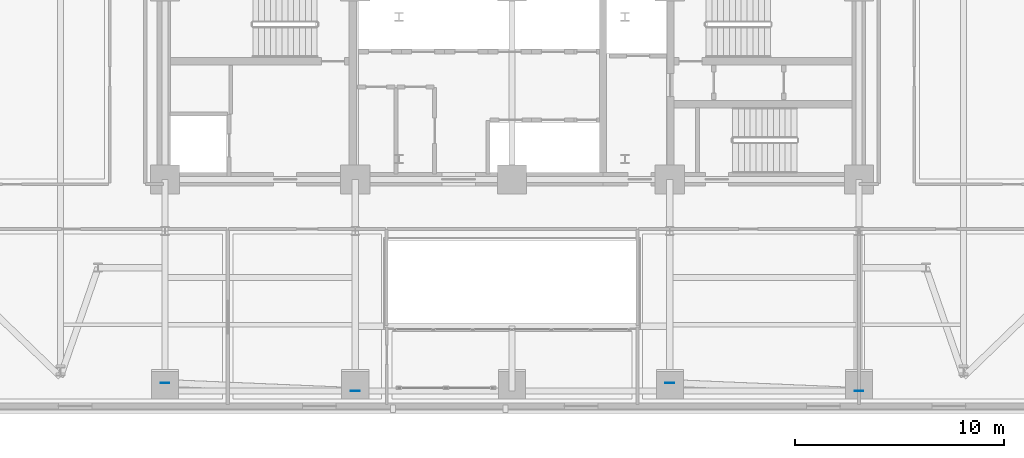
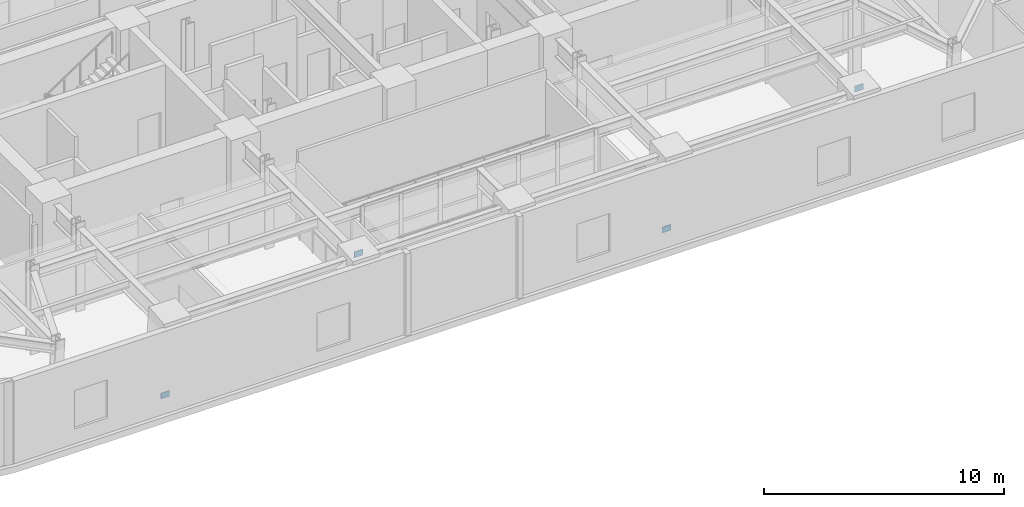
# One storey, part 7 of 14: 4 plates.
"""IFC4 building model written with IfcOpenShell, lengths in metres."""

import ifcopenshell
import ifcopenshell.guid

model = None  # the IFC model being written
_history = None  # IfcOwnerHistory: only IFC2X3 demands one
_inside = {}  # id of a spatial element -> (the spatial element, [elements in it])
_under = {}  # id of a project, library or spatial element -> (it, [spatial elements below it])
_declared = {}  # id of a project -> (the project, [libraries it declares])
_typed = {}  # id of a type object -> (the type object, [elements of that type])
_made_of = {}  # id of a material, layer set ... -> (it, [elements and type objects made of it])


def new_model(schema):
    """Start an empty IFC model of exactly this schema.

    Asked for "IFC4X3", IfcOpenShell would pick the latest addendum, in which some entities
    have other attributes; the version numbers below select the first issue.
    IFC2X3 requires an IfcOwnerHistory on every rooted entity: one is made here for all.
    """
    global model, _history
    if schema == "IFC4X3":
        model = ifcopenshell.file(schema_version=(4, 3, 0, 0))
    else:
        model = ifcopenshell.file(schema=schema)
    _inside.clear()
    _under.clear()
    _declared.clear()
    _typed.clear()
    _made_of.clear()
    _history = None
    if model.schema == "IFC2X3":
        org = make("IfcOrganization", Name="unknown")
        user = make(
            "IfcPersonAndOrganization",
            ThePerson=make("IfcPerson", FamilyName="unknown"),
            TheOrganization=org,
        )
        app = make(
            "IfcApplication",
            ApplicationDeveloper=org,
            Version="unknown",
            ApplicationFullName="unknown",
            ApplicationIdentifier="unknown",
        )
        _history = make(
            "IfcOwnerHistory",
            OwningUser=user,
            OwningApplication=app,
            ChangeAction="ADDED",
            CreationDate=0,
        )
    return model


def make(cls, **values):
    """One entity of the class cls with the attributes given. An attribute that is None is left unset."""
    return model.create_entity(
        cls, **{name: value for name, value in values.items() if value is not None}
    )


def rooted(cls, **values):
    """An entity with a GlobalId (a new one), such as an element, a storey or a relation."""
    return make(cls, GlobalId=ifcopenshell.guid.new(), OwnerHistory=_history, **values)


def si_unit(unit_type, name, prefix=None):
    """IfcSIUnit, for example si_unit("LENGTHUNIT", "METRE", prefix="MILLI")."""
    return make("IfcSIUnit", UnitType=unit_type, Prefix=prefix, Name=name)


def assignment(units):
    """IfcUnitAssignment: the units of a project."""
    return None if units is None else make("IfcUnitAssignment", Units=units)


def point(xyz):
    """IfcCartesianPoint."""
    return None if xyz is None else make("IfcCartesianPoint", Coordinates=xyz)


def direction(xyz):
    """IfcDirection."""
    return None if xyz is None else make("IfcDirection", DirectionRatios=xyz)


def frame(location, z_axis=None, x_axis=None):
    """IfcAxis2Placement3D, a coordinate frame: its origin and axes. An axis left out is left unset."""
    return make(
        "IfcAxis2Placement3D",
        Location=point(location),
        Axis=direction(z_axis),
        RefDirection=direction(x_axis),
    )


def frame_2d(location, x_axis=None):
    """IfcAxis2Placement2D, a coordinate frame in the plane: its origin and x axis."""
    return make(
        "IfcAxis2Placement2D", Location=point(location), RefDirection=direction(x_axis)
    )


def origin():
    """The frame at (0, 0, 0) with its axes left unset."""
    return frame((0.0, 0.0, 0.0))


def origin_2d():
    """The frame at (0, 0) in the plane with its x axis left unset."""
    return frame_2d((0.0, 0.0))


def place(relative_to, where):
    """IfcLocalPlacement: puts the frame where relative to a parent placement (None: the world)."""
    return make(
        "IfcLocalPlacement", PlacementRelTo=relative_to, RelativePlacement=where
    )


def context(
    kind, dimensions, precision=None, world=None, true_north=None, identifier=None
):
    """IfcGeometricRepresentationContext, for example the 3D "Model" context."""
    return make(
        "IfcGeometricRepresentationContext",
        ContextIdentifier=identifier,
        ContextType=kind,
        CoordinateSpaceDimension=dimensions,
        Precision=precision,
        WorldCoordinateSystem=world,
        TrueNorth=true_north,
    )


def subcontext(parent, identifier, kind, view, scale=None):
    """IfcGeometricRepresentationSubContext, for example "Body" below "Model"."""
    return make(
        "IfcGeometricRepresentationSubContext",
        ContextIdentifier=identifier,
        ContextType=kind,
        ParentContext=parent,
        TargetScale=scale,
        TargetView=view,
    )


def project(units=None, contexts=None):
    """IfcProject with its units and contexts."""
    return rooted(
        "IfcProject",
        Name="project",
        RepresentationContexts=contexts,
        UnitsInContext=assignment(units),
    )


def spatial(cls, under=None, at=None, **own):
    """A site, building, storey or space (cls), placed at a placement, below another one or the project."""
    s = rooted(cls, ObjectPlacement=at, **own)
    if under is not None:
        _under.setdefault(under.id(), (under, []))[1].append(s)
    return s


def profile(cls, at=None, kind="AREA", **sizes):
    """A parametric profile (cls). Its sizes go by their IFC names, for example OverallWidth=200.0."""
    return make(cls, ProfileType=kind, Position=at, **sizes)


def rectangle(**sizes):
    """IfcRectangleProfileDef."""
    return profile("IfcRectangleProfileDef", **sizes)


def extrude(swept, where, along, depth):
    """IfcExtrudedAreaSolid: the profile swept, set in the frame where, extruded along a direction by depth."""
    return make(
        "IfcExtrudedAreaSolid",
        SweptArea=swept,
        Position=where,
        ExtrudedDirection=direction(along),
        Depth=depth,
    )


def shape(context_of_items, identifier, shape_type, items):
    """IfcShapeRepresentation: the items that make up one representation, for example the "Body"."""
    return make(
        "IfcShapeRepresentation",
        ContextOfItems=context_of_items,
        RepresentationIdentifier=identifier,
        RepresentationType=shape_type,
        Items=items,
    )


def material(Name=None, Category=None):
    """IfcMaterial."""
    return make("IfcMaterial", Name=Name, Category=Category)


def layer(
    of_material, thickness, ventilated=None, Name=None, Category=None, Priority=None
):
    """IfcMaterialLayer: one layer of a wall or slab, of a material (None: an air gap)."""
    return make(
        "IfcMaterialLayer",
        Material=of_material,
        LayerThickness=thickness,
        IsVentilated=ventilated,
        Name=Name,
        Category=Category,
        Priority=Priority,
    )


def layer_set(layers, Name=None):
    """IfcMaterialLayerSet."""
    return make("IfcMaterialLayerSet", MaterialLayers=layers, LayerSetName=Name)


def made_of(thing, what):
    """Note that an element or type object is made of a material, layer set ...; save() writes the relation."""
    if what is not None:
        _made_of.setdefault(what.id(), (what, []))[1].append(thing)
    return thing


def type_object(cls, material=None, **own):
    """A type object (cls), such as IfcWallType, which elements share."""
    return made_of(rooted(cls, **own), material)


def element(
    cls,
    number,
    at=None,
    inside=None,
    cuts=None,
    type_object=None,
    material=None,
    context=None,
    identifier="Body",
    shape_type=None,
    held_by="IfcProductDefinitionShape",
    body=None,
    shapes=None,
    **own,
):
    """One element of the class cls, such as IfcWall. Its Tag is "e" and its number.

    at: its placement. inside: the storey or other place that contains it. cuts: it is an
    opening in that element (IfcRelVoidsElement). A single representation is given by context,
    identifier, shape_type and body (its items); several are given by shapes. held_by: the class
    of the entity that holds the representations. save() writes the other relations.
    """
    e = rooted(cls, Tag="e%d" % number, ObjectPlacement=at, **own)
    if body is not None:
        shapes = [shape(context, identifier, shape_type, body)]
    if shapes is not None:
        e.Representation = make(held_by, Representations=shapes)
    if inside is not None:
        _inside.setdefault(inside.id(), (inside, []))[1].append(e)
    if cuts is not None:
        rooted(
            "IfcRelVoidsElement", RelatingBuildingElement=cuts, RelatedOpeningElement=e
        )
    if type_object is not None:
        _typed.setdefault(type_object.id(), (type_object, []))[1].append(e)
    return made_of(e, material)


def aggregate(whole, parts):
    """IfcRelAggregates: a whole, such as a stair, and the parts it consists of."""
    return rooted("IfcRelAggregates", RelatingObject=whole, RelatedObjects=parts)


def save(model, path):
    """Write the relations noted so far, then the file.

    IfcRelAggregates (storeys below a building ...), IfcRelContainedInSpatialStructure (elements
    in a storey), IfcRelDefinesByType, IfcRelAssociatesMaterial and IfcRelDeclares: one each for
    every whole, place, type object, material and project.
    """
    for whole, parts in _under.values():
        aggregate(whole, parts)
    for where, things in _inside.values():
        rooted(
            "IfcRelContainedInSpatialStructure",
            RelatedElements=things,
            RelatingStructure=where,
        )
    for kind, things in _typed.values():
        rooted("IfcRelDefinesByType", RelatedObjects=things, RelatingType=kind)
    for what, things in _made_of.values():
        rooted("IfcRelAssociatesMaterial", RelatedObjects=things, RelatingMaterial=what)
    for by, libraries in _declared.values():
        rooted("IfcRelDeclares", RelatingContext=by, RelatedDefinitions=libraries)
    model.write(path)


model = new_model("IFC4")

# Units and contexts
model_context = context("Model", 3, precision=1e-05, world=origin(), true_north=direction((0.0, 1.0)))
body_context = subcontext(model_context, "Body", "Model", "MODEL_VIEW")
ifc_project = project(units=[si_unit("LENGTHUNIT", "METRE"), si_unit("AREAUNIT", "SQUARE_METRE"), si_unit("VOLUMEUNIT", "CUBIC_METRE"), si_unit("PLANEANGLEUNIT", "RADIAN"), si_unit("MASSUNIT", "GRAM", prefix="KILO")], contexts=[model_context])

# Site, building, storey
site_placement = place(None, origin())
site = spatial("IfcSite", under=ifc_project, at=site_placement, CompositionType="ELEMENT")
building_placement = place(site_placement, origin())
building = spatial("IfcBuilding", under=site, at=building_placement, Name="Zarnavel Station Tower", CompositionType="ELEMENT")
storey_placement = place(building_placement, frame((0.0, 0.0, 89.800048828125)))
storey = spatial("IfcBuildingStorey", under=building, at=storey_placement, Name="L24", CompositionType="ELEMENT", Elevation=89.800048828125)

# Plates
ifc_material = material(Name="Steel S460M", Category="steel")
ifc_layer = layer(ifc_material, 0.02490234375)
ifc_layer_set = layer_set([ifc_layer], Name="GP_GUSSET_25")
plate_type = type_object("IfcPlateType", Name="GP_GUSSET_25", PredefinedType="USERDEFINED", material=ifc_layer_set)
for number, where, z_axis, x_axis, name in (
    (1, (12.199951171875, 18.09033203125, -0.14990234375), (0.0, 0.0, 1.0), (1.0, 0.0, 0.0), "L24 Exterior Diagonal Brace End Gusset 1-1"),
    (2, (21.300048828125, 17.7060546875, 4.08984375), (0.0, 0.0, 1.0), (1.0, 0.0, 0.0), "L24 Exterior Diagonal Brace End Gusset 1-2"),
    (3, (36.35009765625, 18.09033203125, -0.14990234375), (0.0, 0.0, 1.0), (1.0, 0.0, 0.0), "L24 Exterior Diagonal Brace End Gusset 2-1"),
    (4, (45.39990234375, 17.7060546875, 4.08984375), (0.0, 0.0, 1.0), (1.0, 0.0, 0.0), "L24 Exterior Diagonal Brace End Gusset 2-2"),
):
    element("IfcPlate", number, at=place(storey_placement, frame(where, z_axis=z_axis, x_axis=x_axis)), inside=storey, type_object=plate_type, Name=name, ObjectType="GUSSET_PLATE", PredefinedType="USERDEFINED", context=body_context, shape_type="SweptSolid", body=[
        extrude(rectangle(XDim=0.419921875, YDim=0.02490234375, at=origin_2d()), origin(), (0.0, 0.0, 1.0), 0.300048828125),
    ])

save(model, "model.ifc")
